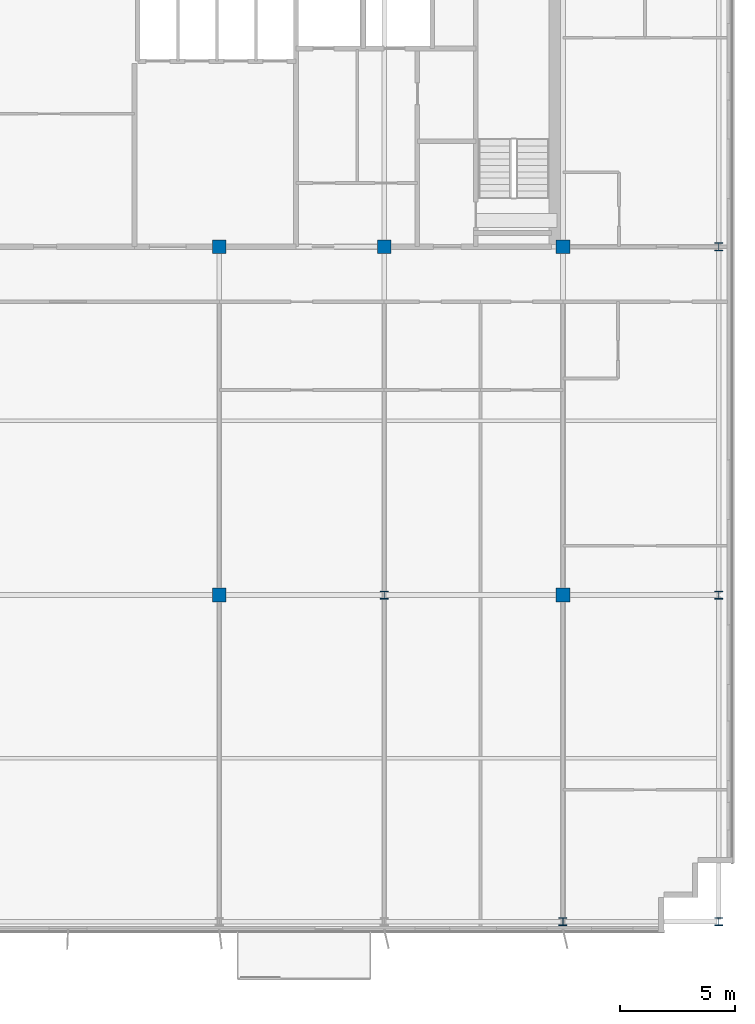
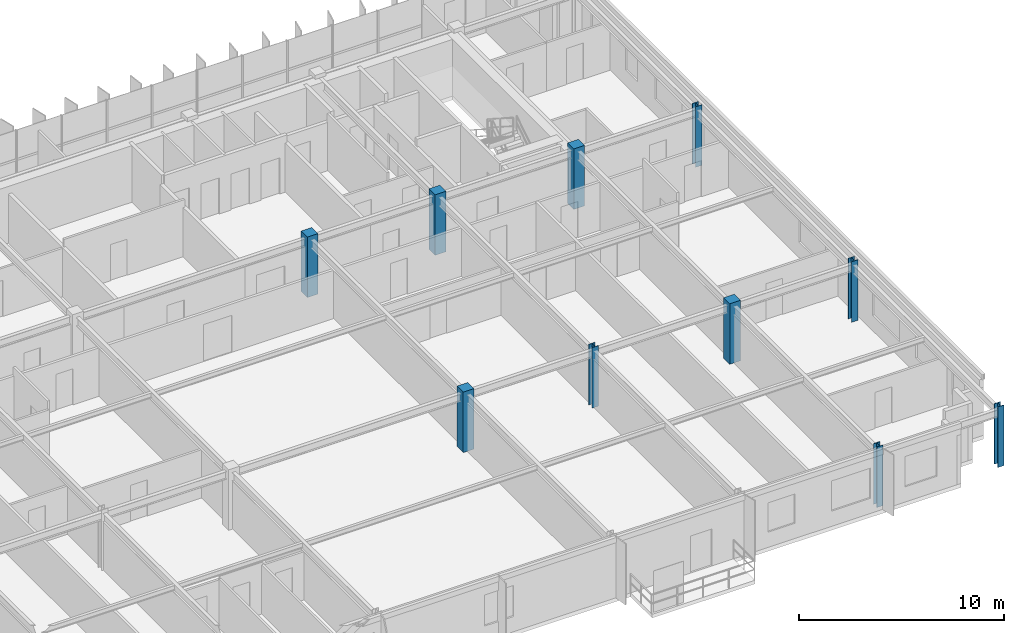
# One storey, part 2 of 22: 10 columns.
"""IFC4 building model written with IfcOpenShell, lengths in metres."""

from ifc_helpers import new_model, si_unit, direction, frame, origin, origin_2d, place, context, subcontext, project, spatial, rectangle, i_section, extrude, source, transform, mapped, material, material_profile, profile_set, type_object, element, save


model = new_model("IFC4")

# Units and contexts
model_context = context("Model", 3, precision=1e-05, world=origin(), true_north=direction((0.0, 1.0)))
body_context = subcontext(model_context, "Body", "Model", "MODEL_VIEW")
ifc_project = project(units=[si_unit("LENGTHUNIT", "METRE"), si_unit("AREAUNIT", "SQUARE_METRE"), si_unit("VOLUMEUNIT", "CUBIC_METRE"), si_unit("PLANEANGLEUNIT", "RADIAN"), si_unit("MASSUNIT", "GRAM", prefix="KILO")], contexts=[model_context])

# Site, building, storey
site_placement = place(None, origin())
site = spatial("IfcSite", under=ifc_project, at=site_placement, CompositionType="ELEMENT")
building_placement = place(site_placement, origin())
building = spatial("IfcBuilding", under=site, at=building_placement, Name="Trelvane Seafront Commons", CompositionType="ELEMENT")
storey_placement = place(building_placement, frame((0.0, 0.0, 270.300048828125)))
storey = spatial("IfcBuildingStorey", under=building, at=storey_placement, Name="L70", CompositionType="ELEMENT", Elevation=270.300048828125)

# Columns
ifc_material_1 = material(Name="Steel SM355 (S355)", Category="steel")
ifc_material_profile_1 = material_profile(ifc_material_1, i_section(OverallWidth=0.35009765625, OverallDepth=0.35009765625, WebThickness=0.01806640625, FlangeThickness=0.028076171875, at=origin_2d()), Name="HD-350x350x18x28")
ifc_profile_set_1 = profile_set([ifc_material_profile_1], Name="Steel SM355 (S355)")
column_type_1 = type_object("IfcColumnType", Name="STR-COL-HD350", PredefinedType="COLUMN", material=ifc_profile_set_1)
shared_shape_1 = source(origin(), body_context, "Body", "SweptSolid", [
    extrude(i_section(OverallWidth=0.35009765625, OverallDepth=0.35009765625, WebThickness=0.01806640625, FlangeThickness=0.028076171875, at=origin_2d()), origin(), (0.0, 0.0, 1.0), 3.599853515625),
])
for number, where, z_axis, x_axis, name in (
    (1, (51.0, 18.199951171875, 0.0), (0.0, 0.0, 1.0), (1.0, 0.0, 0.0), "L70 Column TC-M51.0"),
    (2, (58.800048828125, 3.949951171875, 0.0), (0.0, 0.0, 1.0), (1.0, 0.0, 0.0), "L70 Column TC-S58.8"),
    (3, (65.60009765625, 3.949951171875, 0.0), (0.0, 0.0, 1.0), (1.0, 0.0, 0.0), "L70 Column TC-S65.6"),
    (4, (65.60009765625, 18.199951171875, 0.0), (0.0, 0.0, 1.0), (1.0, 0.0, 0.0), "L70 Column TC-M65.6"),
    (5, (65.60009765625, 33.39990234375, 0.0), (0.0, 0.0, 1.0), (1.0, 0.0, 0.0), "L70 Column TC-CS65.6"),
):
    element("IfcColumn", number, at=place(storey_placement, frame(where, z_axis=z_axis, x_axis=x_axis)), inside=storey, type_object=column_type_1, Name=name, PredefinedType="COLUMN", context=body_context, shape_type="MappedRepresentation", body=[
        mapped(shared_shape_1, transform((0.0, 0.0, 0.0), x_axis=(1.0, 0.0, 0.0), y_axis=(0.0, 1.0, 0.0), z_axis=(0.0, 0.0, 1.0), scale=1.0)),
    ])
ifc_material_2 = material(Name="Concrete C50/60", Category="concrete")
ifc_material_profile_2 = material_profile(ifc_material_2, rectangle(XDim=0.60009765625, YDim=0.60009765625, at=origin_2d()), Name="RC-600x600")
ifc_profile_set_2 = profile_set([ifc_material_profile_2], Name="Concrete C50/60")
column_type_2 = type_object("IfcColumnType", Name="STR-COL-RC600", PredefinedType="COLUMN", material=ifc_profile_set_2)
shared_shape_2 = source(origin(), body_context, "Body", "SweptSolid", [
    extrude(rectangle(XDim=0.60009765625, YDim=0.60009765625, at=origin_2d()), origin(), (0.0, 0.0, 1.0), 3.599853515625),
])
for number, where, z_axis, x_axis, name in (
    (6, (43.800048828125, 18.199951171875, 0.0), (0.0, 0.0, 1.0), (1.0, 0.0, 0.0), "L70 Column TC-M43.8"),
    (7, (43.800048828125, 33.39990234375, 0.0), (0.0, 0.0, 1.0), (1.0, 0.0, 0.0), "L70 Column TC-CS43.8"),
    (8, (51.0, 33.39990234375, 0.0), (0.0, 0.0, 1.0), (1.0, 0.0, 0.0), "L70 Column TC-CS51.0"),
    (9, (58.800048828125, 18.199951171875, 0.0), (0.0, 0.0, 1.0), (1.0, 0.0, 0.0), "L70 Column TC-M58.8"),
    (10, (58.800048828125, 33.39990234375, 0.0), (0.0, 0.0, 1.0), (1.0, 0.0, 0.0), "L70 Column TC-CS58.8"),
):
    element("IfcColumn", number, at=place(storey_placement, frame(where, z_axis=z_axis, x_axis=x_axis)), inside=storey, type_object=column_type_2, Name=name, PredefinedType="COLUMN", context=body_context, shape_type="MappedRepresentation", body=[
        mapped(shared_shape_2, transform((0.0, 0.0, 0.0), x_axis=(1.0, 0.0, 0.0), y_axis=(0.0, 1.0, 0.0), z_axis=(0.0, 0.0, 1.0), scale=1.0)),
    ])

save(model, "model.ifc")
